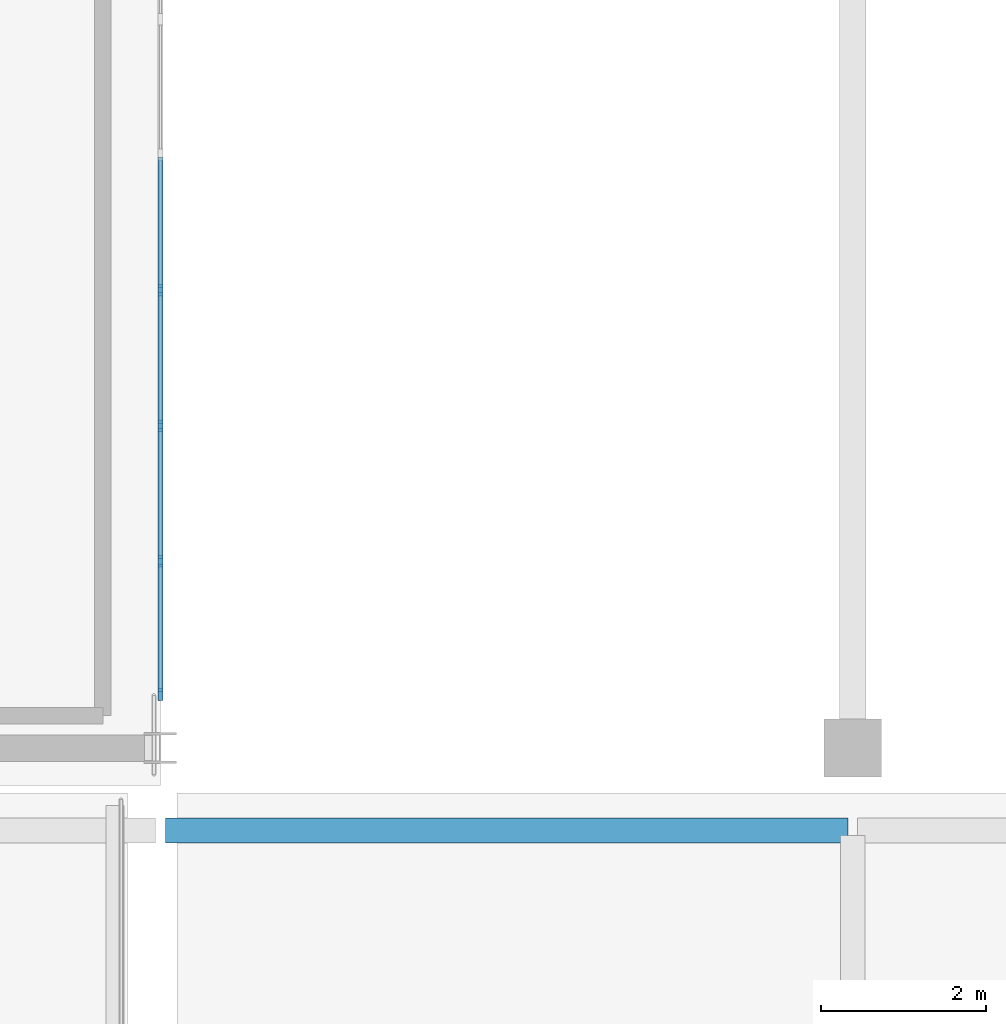
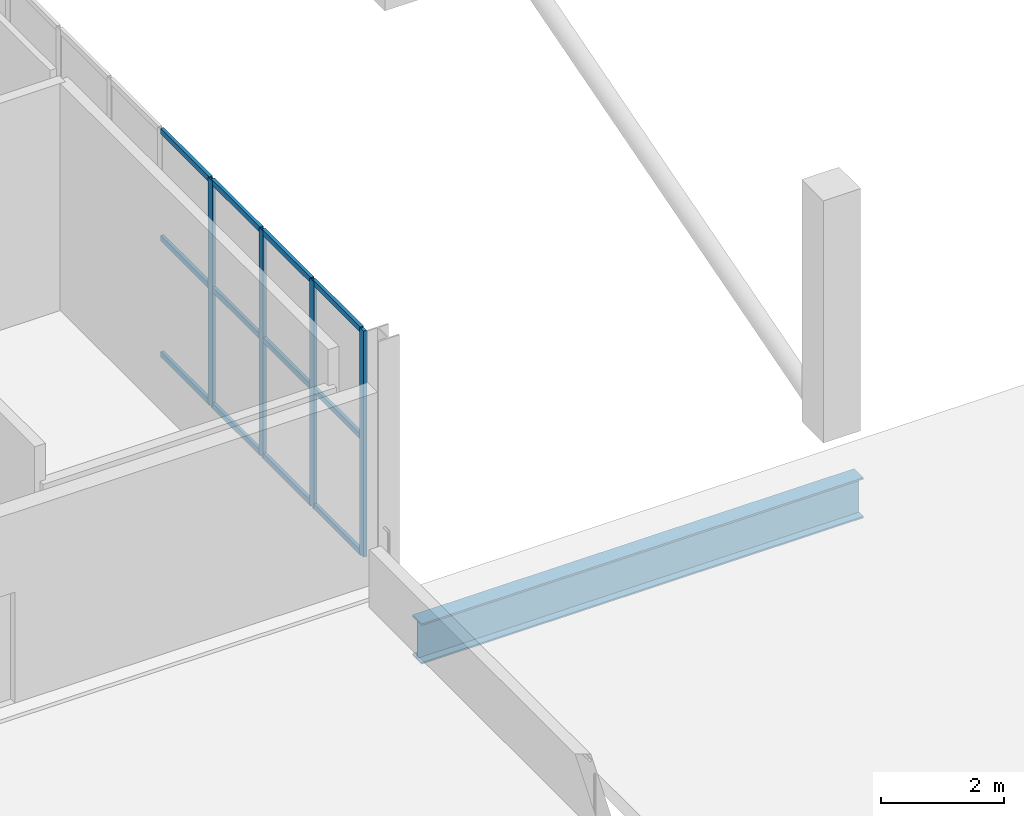
# One storey, part 7 of 51: 16 members, 1 beam, 1 element without a shape of its own.
"""IFC4 building model written with IfcOpenShell, lengths in metres."""

from ifc_helpers import new_model, si_unit, direction, frame, origin, origin_2d, place, context, subcontext, project, spatial, rectangle, i_section, extrude, material, material_profile, profile_set, type_object, element, aggregate, save


model = new_model("IFC4")

# Units and contexts
model_context = context("Model", 3, precision=1e-05, world=origin(), true_north=direction((0.0, 1.0)))
body_context = subcontext(model_context, "Body", "Model", "MODEL_VIEW")
ifc_project = project(units=[si_unit("LENGTHUNIT", "METRE"), si_unit("AREAUNIT", "SQUARE_METRE"), si_unit("VOLUMEUNIT", "CUBIC_METRE"), si_unit("PLANEANGLEUNIT", "RADIAN"), si_unit("MASSUNIT", "GRAM", prefix="KILO")], contexts=[model_context])

# Site, building, storey
site_placement = place(None, origin())
site = spatial("IfcSite", under=ifc_project, at=site_placement, CompositionType="ELEMENT")
building_placement = place(site_placement, origin())
building = spatial("IfcBuilding", under=site, at=building_placement, Name="Koshinbarg Plaza Stadium", CompositionType="ELEMENT")
storey_placement = place(building_placement, frame((0.0, 0.0, 24.60009765625)))
storey = spatial("IfcBuildingStorey", under=building, at=storey_placement, Name="L05", CompositionType="ELEMENT", Elevation=24.60009765625)

# Beam
ifc_material_1 = material(Name="Steel S355", Category="steel")
ifc_material_profile_1 = material_profile(ifc_material_1, i_section(OverallWidth=0.300048828125, OverallDepth=0.800048828125, WebThickness=0.017578125, FlangeThickness=0.032958984375, at=origin_2d()), Name="HEB 800")
ifc_profile_set_1 = profile_set([ifc_material_profile_1], Name="Steel S355")
beam_type = type_object("IfcBeamType", Name="BM-SGIR-04", PredefinedType="USERDEFINED", material=ifc_profile_set_1)
beam_placement = place(storey_placement, frame((46.260009765625, 24.5, -0.7001953125), z_axis=(1.0, 0.0, 0.0), x_axis=(0.0, 1.0, 0.0)))
element("IfcBeam", 1, at=beam_placement, inside=storey, type_object=beam_type, Name="L05 X girder D/7-8", ObjectType="GIRDER", PredefinedType="USERDEFINED", context=body_context, shape_type="SweptSolid", body=[
    extrude(i_section(OverallWidth=0.300048828125, OverallDepth=0.800048828125, WebThickness=0.017578125, FlangeThickness=0.032958984375, at=origin_2d()), origin(), (0.0, 0.0, 1.0), 8.280029296875),
])

# Curtain wall, members
ifc_material_2 = material(Name="Thermally broken anodised aluminium and low-E double glazing", Category="aluminium")
curtain_wall_type = type_object("IfcCurtainWallType", Name="CW-SYS-13", PredefinedType="NOTDEFINED", material=ifc_material_2)
curtain_wall_placement = place(storey_placement, origin())
curtain_wall = element("IfcCurtainWall", 2, at=curtain_wall_placement, inside=storey, type_object=curtain_wall_type, Name="L05 unitised curtain wall CW-L05-140", PredefinedType="NOTDEFINED")
ifc_material_3 = material(Name="Anodised aluminium mullion", Category="aluminium")
ifc_material_profile_2 = material_profile(ifc_material_3, rectangle(XDim=0.06005859375, YDim=0.139892578125, at=origin_2d()), Name="ALU 60x140")
ifc_profile_set_2 = profile_set([ifc_material_profile_2], Name="Anodised aluminium mullion")
member_type_1 = type_object("IfcMemberType", Name="CW-MUL-01", PredefinedType="MULLION", material=ifc_profile_set_2)
member_1_placement = place(storey_placement, frame((46.199951171875, 31.054931640625, 0.0), z_axis=(0.0, 0.0, 1.0), x_axis=(1.0, 0.0, 0.0)))
member_1 = element("IfcMember", 3, at=member_1_placement, type_object=member_type_1, Name="CW13 mullion 6", PredefinedType="MULLION", context=body_context, shape_type="SweptSolid", body=[
    extrude(rectangle(XDim=0.06005859375, YDim=0.139892578125, at=origin_2d()), origin(), (0.0, 0.0, 1.0), 4.47998046875),
])
member_2_placement = place(storey_placement, frame((46.199951171875, 29.409912109375, 0.0), z_axis=(0.0, 0.0, 1.0), x_axis=(1.0, 0.0, 0.0)))
member_2 = element("IfcMember", 4, at=member_2_placement, type_object=member_type_1, Name="CW13 mullion 7", PredefinedType="MULLION", context=body_context, shape_type="SweptSolid", body=[
    extrude(rectangle(XDim=0.06005859375, YDim=0.139892578125, at=origin_2d()), origin(), (0.0, 0.0, 1.0), 4.47998046875),
])
member_3_placement = place(storey_placement, frame((46.199951171875, 27.764892578125, 0.0), z_axis=(0.0, 0.0, 1.0), x_axis=(1.0, 0.0, 0.0)))
member_3 = element("IfcMember", 5, at=member_3_placement, type_object=member_type_1, Name="CW13 mullion 8", PredefinedType="MULLION", context=body_context, shape_type="SweptSolid", body=[
    extrude(rectangle(XDim=0.06005859375, YDim=0.139892578125, at=origin_2d()), origin(), (0.0, 0.0, 1.0), 4.47998046875),
])
member_4_placement = place(storey_placement, frame((46.199951171875, 26.14990234375, 0.0), z_axis=(0.0, 0.0, 1.0), x_axis=(1.0, 0.0, 0.0)))
member_4 = element("IfcMember", 6, at=member_4_placement, type_object=member_type_1, Name="CW13 mullion 9", PredefinedType="MULLION", context=body_context, shape_type="SweptSolid", body=[
    extrude(rectangle(XDim=0.06005859375, YDim=0.139892578125, at=origin_2d()), origin(), (0.0, 0.0, 1.0), 4.47998046875),
])
ifc_material_4 = material(Name="Anodised aluminium transom", Category="aluminium")
ifc_material_profile_3 = material_profile(ifc_material_4, rectangle(XDim=0.06005859375, YDim=0.110107421875, at=origin_2d()), Name="ALU 60x110")
ifc_profile_set_3 = profile_set([ifc_material_profile_3], Name="Anodised aluminium transom")
member_type_2 = type_object("IfcMemberType", Name="CW-TRN-01", PredefinedType="USERDEFINED", material=ifc_profile_set_3)
member_5_placement = place(storey_placement, frame((46.199951171875, 32.669921875, 0.02978515625), z_axis=(0.0, -1.0, 0.0), x_axis=(1.0, 0.0, 0.0)))
member_5 = element("IfcMember", 7, at=member_5_placement, type_object=member_type_2, Name="CW13 transom 5.1", ObjectType="TRANSOM", PredefinedType="USERDEFINED", context=body_context, shape_type="SweptSolid", body=[
    extrude(rectangle(XDim=0.06005859375, YDim=0.110107421875, at=origin_2d()), origin(), (0.0, 0.0, 1.0), 1.5849609375),
])
member_6_placement = place(storey_placement, frame((46.199951171875, 32.669921875, 2.32958984375), z_axis=(0.0, -1.0, 0.0), x_axis=(1.0, 0.0, 0.0)))
member_6 = element("IfcMember", 8, at=member_6_placement, type_object=member_type_2, Name="CW13 transom 5.2", ObjectType="TRANSOM", PredefinedType="USERDEFINED", context=body_context, shape_type="SweptSolid", body=[
    extrude(rectangle(XDim=0.06005859375, YDim=0.110107421875, at=origin_2d()), origin(), (0.0, 0.0, 1.0), 1.5849609375),
])
member_7_placement = place(storey_placement, frame((46.199951171875, 32.669921875, 4.449951171875), z_axis=(0.0, -1.0, 0.0), x_axis=(1.0, 0.0, 0.0)))
member_7 = element("IfcMember", 9, at=member_7_placement, type_object=member_type_2, Name="CW13 transom 5.3", ObjectType="TRANSOM", PredefinedType="USERDEFINED", context=body_context, shape_type="SweptSolid", body=[
    extrude(rectangle(XDim=0.06005859375, YDim=0.110107421875, at=origin_2d()), origin(), (0.0, 0.0, 1.0), 1.5849609375),
])
member_8_placement = place(storey_placement, frame((46.199951171875, 31.02490234375, 0.02978515625), z_axis=(0.0, -1.0, 0.0), x_axis=(1.0, 0.0, 0.0)))
member_8 = element("IfcMember", 10, at=member_8_placement, type_object=member_type_2, Name="CW13 transom 6.1", ObjectType="TRANSOM", PredefinedType="USERDEFINED", context=body_context, shape_type="SweptSolid", body=[
    extrude(rectangle(XDim=0.06005859375, YDim=0.110107421875, at=origin_2d()), origin(), (0.0, 0.0, 1.0), 1.5849609375),
])
member_9_placement = place(storey_placement, frame((46.199951171875, 31.02490234375, 2.32958984375), z_axis=(0.0, -1.0, 0.0), x_axis=(1.0, 0.0, 0.0)))
member_9 = element("IfcMember", 11, at=member_9_placement, type_object=member_type_2, Name="CW13 transom 6.2", ObjectType="TRANSOM", PredefinedType="USERDEFINED", context=body_context, shape_type="SweptSolid", body=[
    extrude(rectangle(XDim=0.06005859375, YDim=0.110107421875, at=origin_2d()), origin(), (0.0, 0.0, 1.0), 1.5849609375),
])
member_10_placement = place(storey_placement, frame((46.199951171875, 31.02490234375, 4.449951171875), z_axis=(0.0, -1.0, 0.0), x_axis=(1.0, 0.0, 0.0)))
member_10 = element("IfcMember", 12, at=member_10_placement, type_object=member_type_2, Name="CW13 transom 6.3", ObjectType="TRANSOM", PredefinedType="USERDEFINED", context=body_context, shape_type="SweptSolid", body=[
    extrude(rectangle(XDim=0.06005859375, YDim=0.110107421875, at=origin_2d()), origin(), (0.0, 0.0, 1.0), 1.5849609375),
])
member_11_placement = place(storey_placement, frame((46.199951171875, 29.3798828125, 0.02978515625), z_axis=(0.0, -1.0, 0.0), x_axis=(1.0, 0.0, 0.0)))
member_11 = element("IfcMember", 13, at=member_11_placement, type_object=member_type_2, Name="CW13 transom 7.1", ObjectType="TRANSOM", PredefinedType="USERDEFINED", context=body_context, shape_type="SweptSolid", body=[
    extrude(rectangle(XDim=0.06005859375, YDim=0.110107421875, at=origin_2d()), origin(), (0.0, 0.0, 1.0), 1.5849609375),
])
member_12_placement = place(storey_placement, frame((46.199951171875, 29.3798828125, 2.32958984375), z_axis=(0.0, -1.0, 0.0), x_axis=(1.0, 0.0, 0.0)))
member_12 = element("IfcMember", 14, at=member_12_placement, type_object=member_type_2, Name="CW13 transom 7.2", ObjectType="TRANSOM", PredefinedType="USERDEFINED", context=body_context, shape_type="SweptSolid", body=[
    extrude(rectangle(XDim=0.06005859375, YDim=0.110107421875, at=origin_2d()), origin(), (0.0, 0.0, 1.0), 1.5849609375),
])
member_13_placement = place(storey_placement, frame((46.199951171875, 29.3798828125, 4.449951171875), z_axis=(0.0, -1.0, 0.0), x_axis=(1.0, 0.0, 0.0)))
member_13 = element("IfcMember", 15, at=member_13_placement, type_object=member_type_2, Name="CW13 transom 7.3", ObjectType="TRANSOM", PredefinedType="USERDEFINED", context=body_context, shape_type="SweptSolid", body=[
    extrude(rectangle(XDim=0.06005859375, YDim=0.110107421875, at=origin_2d()), origin(), (0.0, 0.0, 1.0), 1.5849609375),
])
member_14_placement = place(storey_placement, frame((46.199951171875, 27.735107421875, 0.02978515625), z_axis=(0.0, -1.0, 0.0), x_axis=(1.0, 0.0, 0.0)))
member_14 = element("IfcMember", 16, at=member_14_placement, type_object=member_type_2, Name="CW13 transom 8.1", ObjectType="TRANSOM", PredefinedType="USERDEFINED", context=body_context, shape_type="SweptSolid", body=[
    extrude(rectangle(XDim=0.06005859375, YDim=0.110107421875, at=origin_2d()), origin(), (0.0, 0.0, 1.0), 1.55517578125),
])
member_15_placement = place(storey_placement, frame((46.199951171875, 27.735107421875, 2.32958984375), z_axis=(0.0, -1.0, 0.0), x_axis=(1.0, 0.0, 0.0)))
member_15 = element("IfcMember", 17, at=member_15_placement, type_object=member_type_2, Name="CW13 transom 8.2", ObjectType="TRANSOM", PredefinedType="USERDEFINED", context=body_context, shape_type="SweptSolid", body=[
    extrude(rectangle(XDim=0.06005859375, YDim=0.110107421875, at=origin_2d()), origin(), (0.0, 0.0, 1.0), 1.55517578125),
])
member_16_placement = place(storey_placement, frame((46.199951171875, 27.735107421875, 4.449951171875), z_axis=(0.0, -1.0, 0.0), x_axis=(1.0, 0.0, 0.0)))
member_16 = element("IfcMember", 18, at=member_16_placement, type_object=member_type_2, Name="CW13 transom 8.3", ObjectType="TRANSOM", PredefinedType="USERDEFINED", context=body_context, shape_type="SweptSolid", body=[
    extrude(rectangle(XDim=0.06005859375, YDim=0.110107421875, at=origin_2d()), origin(), (0.0, 0.0, 1.0), 1.55517578125),
])
aggregate(curtain_wall, [member_1, member_2, member_3, member_4, member_5, member_6, member_7, member_8, member_9, member_10, member_11, member_12, member_13, member_14, member_15, member_16])

save(model, "model.ifc")
